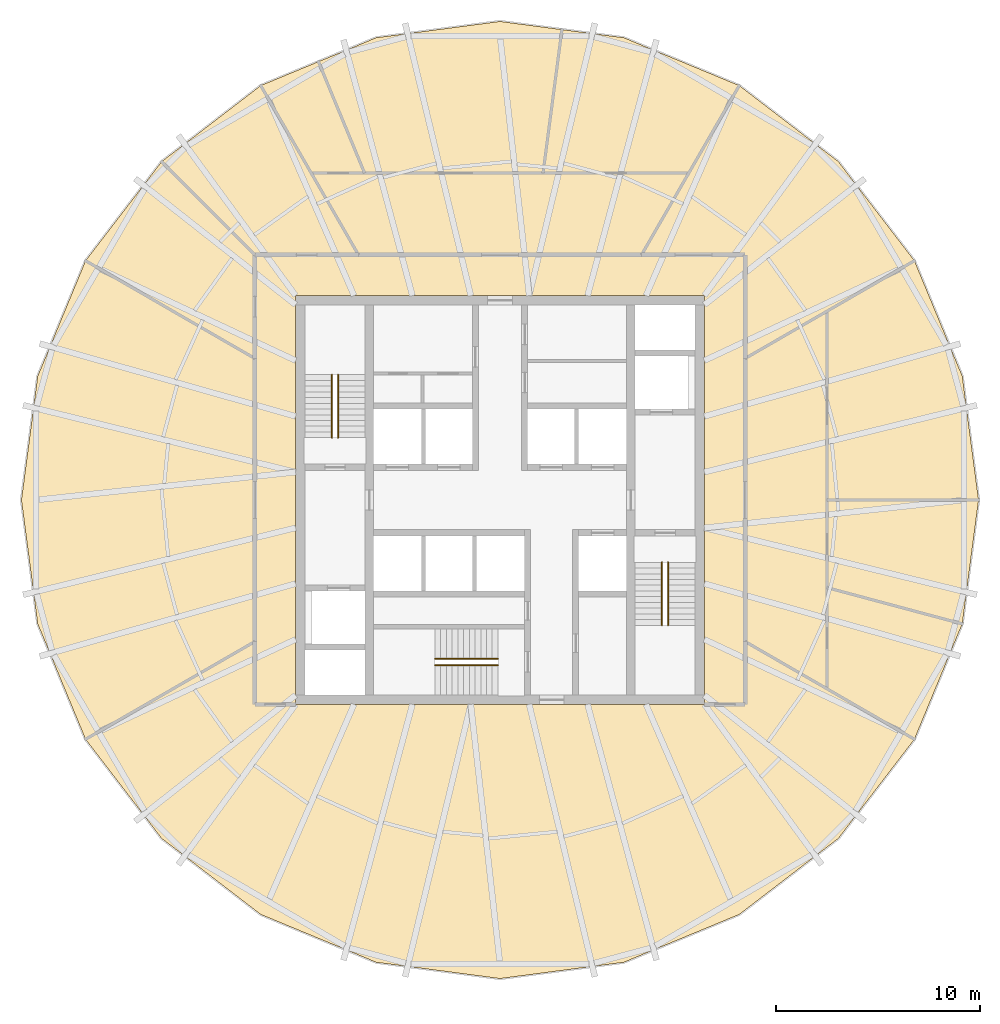
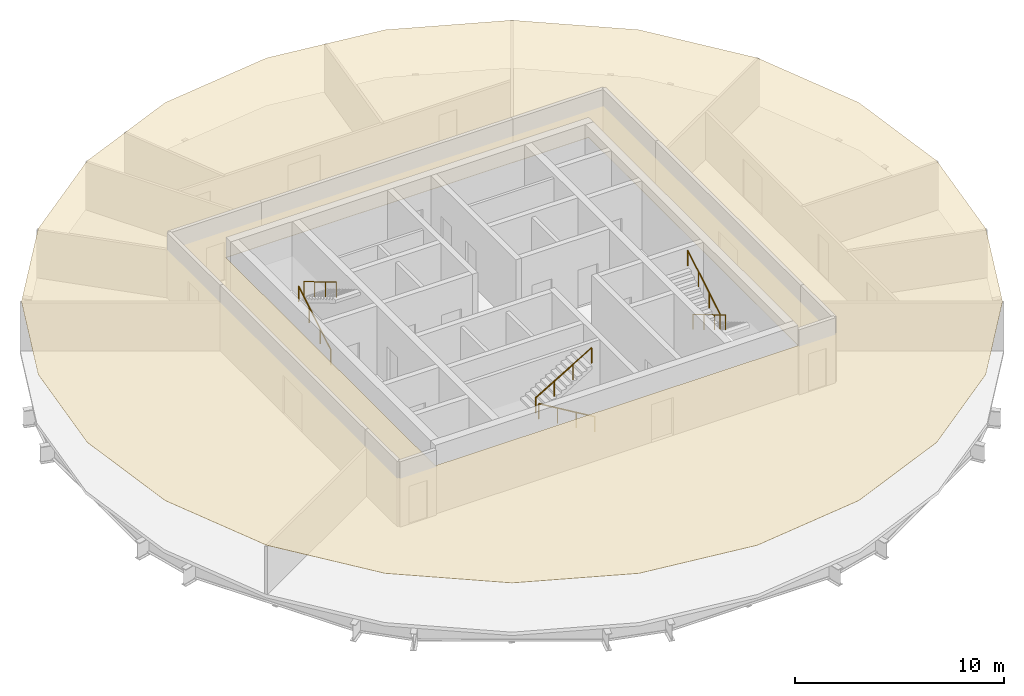
# One storey, part 6 of 6: 6 railings, 1 covering.
"""IFC4 building model written with IfcOpenShell, lengths in metres."""

from ifc_helpers import new_model, si_unit, direction, frame, origin, origin_2d, place, context, subcontext, project, spatial, polyline, circle, outline, extrude, material, layer, layer_set, type_object, element, save


model = new_model("IFC4")

# Units and contexts
model_context = context("Model", 3, precision=1e-05, world=origin(), true_north=direction((0.0, 1.0)))
body_context = subcontext(model_context, "Body", "Model", "MODEL_VIEW")
ifc_project = project(units=[si_unit("LENGTHUNIT", "METRE"), si_unit("AREAUNIT", "SQUARE_METRE"), si_unit("VOLUMEUNIT", "CUBIC_METRE"), si_unit("PLANEANGLEUNIT", "RADIAN"), si_unit("MASSUNIT", "GRAM", prefix="KILO")], contexts=[model_context])

# Site, building, storey
site_placement = place(None, origin())
site = spatial("IfcSite", under=ifc_project, at=site_placement, CompositionType="ELEMENT")
building_placement = place(site_placement, origin())
building = spatial("IfcBuilding", under=site, at=building_placement, Name="Golbaran Civic Tower", CompositionType="ELEMENT")
storey_placement = place(building_placement, frame((0.0, 0.0, 203.0)))
storey = spatial("IfcBuildingStorey", under=building, at=storey_placement, Name="L49", CompositionType="ELEMENT", Elevation=203.0)

# Railings
ifc_material_1 = material(Name="Stainless steel", Category="steel")
railing_type = type_object("IfcRailingType", Name="STAIR HANDRAIL 900", PredefinedType="HANDRAIL", material=ifc_material_1)
railing_1_placement = place(storey_placement, frame((-8.22509765625, 3.050048828125, 0.166748046875)))
element("IfcRailing", 1, at=railing_1_placement, inside=storey, type_object=railing_type, Name="Stair S1 handrail flight 1 L49", PredefinedType="HANDRAIL", context=body_context, shape_type="SweptSolid", body=[
    extrude(circle(Radius=0.02392578125, at=origin_2d()), frame((0.0, 0.0, 0.8759765625), z_axis=(0.0, 0.859290745958, 0.51148745235), x_axis=(-1.0, 0.0, 0.0)), (0.0, 0.0, 1.0), 3.584228515625),
    extrude(circle(Radius=0.02099609375, at=origin_2d()), origin(), (0.0, 0.0, 1.0), 0.851806640625),
    extrude(circle(Radius=0.02099609375, at=origin_2d()), frame((0.0, 1.026611328125, 0.611083984375)), (0.0, 0.0, 1.0), 0.851806640625),
    extrude(circle(Radius=0.02099609375, at=origin_2d()), frame((0.0, 2.05322265625, 1.22216796875)), (0.0, 0.0, 1.0), 0.851806640625),
    extrude(circle(Radius=0.02099609375, at=origin_2d()), frame((0.0, 3.079833984375, 1.833251953125)), (0.0, 0.0, 1.0), 0.851806640625),
])
for number, where, name in (
    (2, (-7.925048828125, 6.1298828125, 2.166748046875), "Stair S1 handrail flight 2 L49"),
    (3, (8.22509765625, -3.050048828125, 0.166748046875), "Stair S2 handrail flight 1 L49"),
):
    element("IfcRailing", number, at=place(storey_placement, frame(where)), inside=storey, type_object=railing_type, Name=name, PredefinedType="HANDRAIL", context=body_context, shape_type="SweptSolid", body=[
        extrude(circle(Radius=0.02392578125, at=origin_2d()), frame((0.0, 0.0, 0.8759765625), z_axis=(0.0, -0.859290745958, 0.51148745235), x_axis=(1.0, 0.0, 0.0)), (0.0, 0.0, 1.0), 3.584228515625),
        extrude(circle(Radius=0.02099609375, at=origin_2d()), origin(), (0.0, 0.0, 1.0), 0.851806640625),
        extrude(circle(Radius=0.02099609375, at=origin_2d()), frame((0.0, -1.026611328125, 0.611083984375)), (0.0, 0.0, 1.0), 0.851806640625),
        extrude(circle(Radius=0.02099609375, at=origin_2d()), frame((0.0, -2.05322265625, 1.22216796875)), (0.0, 0.0, 1.0), 0.851806640625),
        extrude(circle(Radius=0.02099609375, at=origin_2d()), frame((0.0, -3.079833984375, 1.833251953125)), (0.0, 0.0, 1.0), 0.851806640625),
    ])
railing_2_placement = place(storey_placement, frame((7.925048828125, -6.1298828125, 2.166748046875)))
element("IfcRailing", 4, at=railing_2_placement, inside=storey, type_object=railing_type, Name="Stair S2 handrail flight 2 L49", PredefinedType="HANDRAIL", context=body_context, shape_type="SweptSolid", body=[
    extrude(circle(Radius=0.02392578125, at=origin_2d()), frame((0.0, 0.0, 0.8759765625), z_axis=(0.0, 0.859290745958, 0.51148745235), x_axis=(-1.0, 0.0, 0.0)), (0.0, 0.0, 1.0), 3.584228515625),
    extrude(circle(Radius=0.02099609375, at=origin_2d()), origin(), (0.0, 0.0, 1.0), 0.851806640625),
    extrude(circle(Radius=0.02099609375, at=origin_2d()), frame((0.0, 1.026611328125, 0.611083984375)), (0.0, 0.0, 1.0), 0.851806640625),
    extrude(circle(Radius=0.02099609375, at=origin_2d()), frame((0.0, 2.05322265625, 1.22216796875)), (0.0, 0.0, 1.0), 0.851806640625),
    extrude(circle(Radius=0.02099609375, at=origin_2d()), frame((0.0, 3.079833984375, 1.833251953125)), (0.0, 0.0, 1.0), 0.851806640625),
])
railing_3_placement = place(storey_placement, frame((-0.10009765625, -8.074951171875, 0.166748046875)))
element("IfcRailing", 5, at=railing_3_placement, inside=storey, type_object=railing_type, Name="Stair S3 handrail flight 1 L49", PredefinedType="HANDRAIL", context=body_context, shape_type="SweptSolid", body=[
    extrude(circle(Radius=0.02392578125, at=origin_2d()), frame((0.0, 0.0, 0.8759765625), z_axis=(-0.859290745958, 0.0, 0.51148745235), x_axis=(0.0, -1.0, 0.0)), (0.0, 0.0, 1.0), 3.584228515625),
    extrude(circle(Radius=0.02099609375, at=origin_2d()), origin(), (0.0, 0.0, 1.0), 0.851806640625),
    extrude(circle(Radius=0.02099609375, at=origin_2d()), frame((-1.026611328125, 0.0, 0.611083984375)), (0.0, 0.0, 1.0), 0.851806640625),
    extrude(circle(Radius=0.02099609375, at=origin_2d()), frame((-2.05322265625, 0.0, 1.22216796875)), (0.0, 0.0, 1.0), 0.851806640625),
    extrude(circle(Radius=0.02099609375, at=origin_2d()), frame((-3.079833984375, 0.0, 1.833251953125)), (0.0, 0.0, 1.0), 0.851806640625),
])
railing_4_placement = place(storey_placement, frame((-3.179931640625, -7.77490234375, 2.166748046875)))
element("IfcRailing", 6, at=railing_4_placement, inside=storey, type_object=railing_type, Name="Stair S3 handrail flight 2 L49", PredefinedType="HANDRAIL", context=body_context, shape_type="SweptSolid", body=[
    extrude(circle(Radius=0.02392578125, at=origin_2d()), frame((0.0, 0.0, 0.8759765625), z_axis=(0.859290745958, 0.0, 0.51148745235), x_axis=(0.0, 1.0, 0.0)), (0.0, 0.0, 1.0), 3.584228515625),
    extrude(circle(Radius=0.02099609375, at=origin_2d()), origin(), (0.0, 0.0, 1.0), 0.851806640625),
    extrude(circle(Radius=0.02099609375, at=origin_2d()), frame((1.026611328125, 0.0, 0.611083984375)), (0.0, 0.0, 1.0), 0.851806640625),
    extrude(circle(Radius=0.02099609375, at=origin_2d()), frame((2.05322265625, 0.0, 1.22216796875)), (0.0, 0.0, 1.0), 0.851806640625),
    extrude(circle(Radius=0.02099609375, at=origin_2d()), frame((3.079833984375, 0.0, 1.833251953125)), (0.0, 0.0, 1.0), 0.851806640625),
])

# Covering
ifc_material_2 = material(Name="Mineral fibre tile on steel grid", Category="steel")
ifc_layer = layer(ifc_material_2, 0.02001953125, Name="Mineral fibre tile on steel grid")
ifc_layer_set = layer_set([ifc_layer], Name="Mineral fibre tile on steel grid")
covering_type = type_object("IfcCoveringType", Name="SUSPENDED CEILING 600 TILE 20", PredefinedType="CEILING", material=ifc_layer_set)
covering_placement = place(storey_placement, frame((0.0, 0.0, 2.800048828125)))
element("IfcCovering", 7, at=covering_placement, inside=storey, type_object=covering_type, Name="Suspended ceiling L49", PredefinedType="CEILING", context=body_context, shape_type="SweptSolid", body=[
    extrude(outline(polyline([(-22.619140625, 6.060791015625), (-20.27978515625, 11.70849609375), (-16.558349609375, 16.558349609375), (-11.70849609375, 20.27978515625), (-8.74609375, 21.5068359375), (-6.060791015625, 22.619140625), (0.0, 23.4169921875), (6.060791015625, 22.619140625), (11.70849609375, 20.27978515625), (16.558349609375, 16.558349609375), (20.27978515625, 11.70849609375), (22.619140625, 6.060791015625), (23.4169921875, 0.0), (22.619140625, -6.060791015625), (20.27978515625, -11.70849609375), (16.558349609375, -16.558349609375), (11.70849609375, -20.27978515625), (6.060791015625, -22.619140625), (0.0, -23.4169921875), (-6.060791015625, -22.619140625), (-11.70849609375, -20.27978515625), (-16.558349609375, -16.558349609375), (-20.27978515625, -11.70849609375), (-22.619140625, -6.060791015625), (-23.4169921875, 0.0), (-22.619140625, 6.060791015625)]), holes=[polyline([(10.0, 10.0), (-10.0, 10.0), (-10.0, -10.0), (10.0, -10.0), (10.0, 10.0)])]), origin(), (0.0, 0.0, 1.0), 0.02001953125),
])

save(model, "model.ifc")
